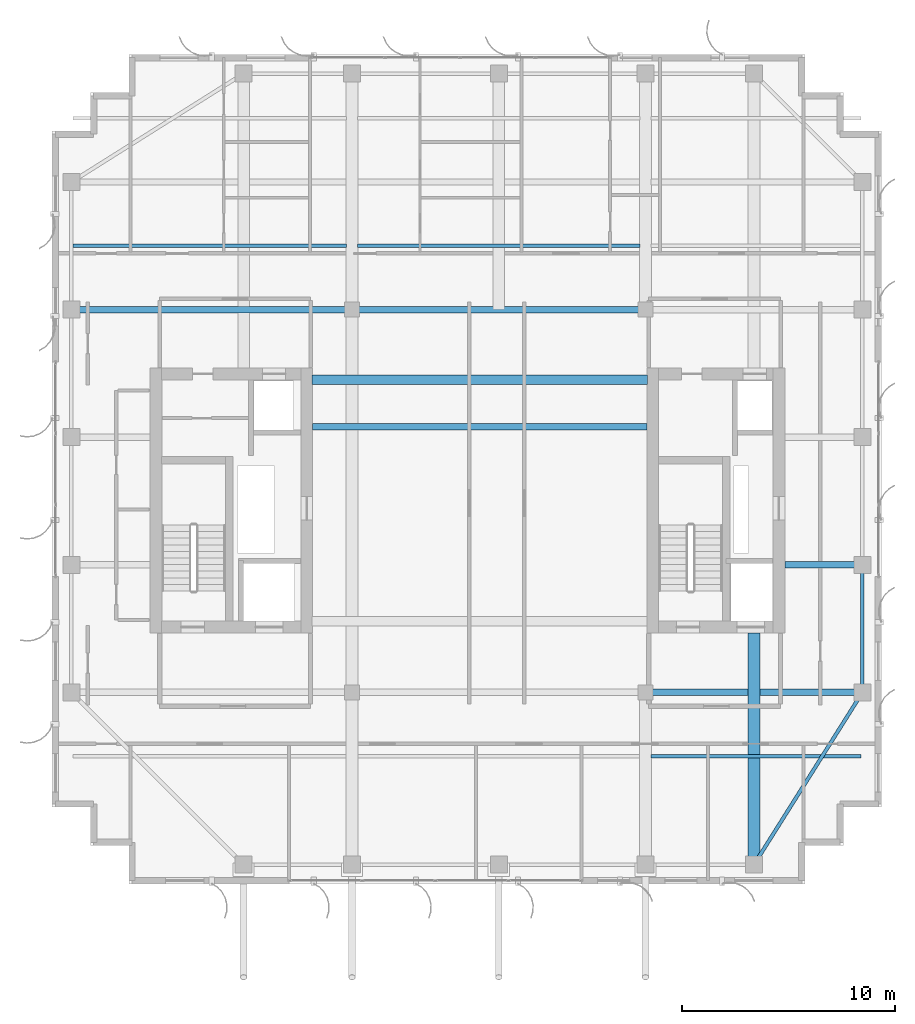
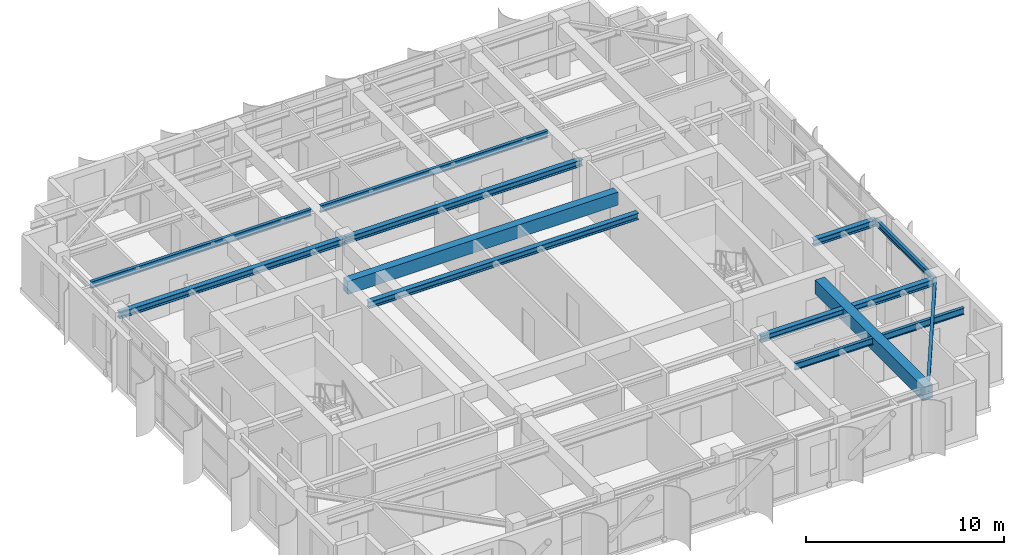
# One storey, part 10 of 22: 12 beams.
"""IFC4 building model written with IfcOpenShell, lengths in metres."""

from ifc_helpers import new_model, si_unit, direction, frame, origin, origin_2d, place, context, subcontext, project, spatial, rectangle, i_section, extrude, source, transform, mapped, material, material_profile, profile_set, type_object, element, save


model = new_model("IFC4")

# Units and contexts
model_context = context("Model", 3, precision=1e-05, world=origin(), true_north=direction((0.0, 1.0)))
body_context = subcontext(model_context, "Body", "Model", "MODEL_VIEW")
ifc_project = project(units=[si_unit("LENGTHUNIT", "METRE"), si_unit("AREAUNIT", "SQUARE_METRE"), si_unit("VOLUMEUNIT", "CUBIC_METRE"), si_unit("PLANEANGLEUNIT", "RADIAN"), si_unit("MASSUNIT", "GRAM", prefix="KILO")], contexts=[model_context])

# Site, building, storey
site_placement = place(None, origin())
site = spatial("IfcSite", under=ifc_project, at=site_placement, CompositionType="ELEMENT")
building_placement = place(site_placement, origin())
building = spatial("IfcBuilding", under=site, at=building_placement, Name="Khoralis Quay Care Tower", CompositionType="ELEMENT")
storey_placement = place(building_placement, frame((0.0, 0.0, 278.10009765625)))
storey = spatial("IfcBuildingStorey", under=building, at=storey_placement, Name="L73", CompositionType="ELEMENT", Elevation=278.10009765625)

# Beams
ifc_material_1 = material(Name="Concrete C50/60", Category="concrete")
ifc_material_profile_1 = material_profile(ifc_material_1, rectangle(XDim=0.449951171875, YDim=0.800048828125, at=origin_2d()), Name="Concrete C50/60")
ifc_profile_set_1 = profile_set([ifc_material_profile_1], Name="Concrete C50/60")
beam_type_1 = type_object("IfcBeamType", Name="CB-RC450X800", PredefinedType="LINTEL", material=ifc_profile_set_1)
shared_shape_1 = source(origin(), body_context, "Body", "SweptSolid", [
    extrude(rectangle(XDim=0.449951171875, YDim=0.800048828125, at=origin_2d()), origin(), (0.0, 0.0, 1.0), 15.780029296875),
])
beam_1_placement = place(storey_placement, frame((15.219970703125, 26.699951171875, 2.919921875), z_axis=(1.0, 0.0, 0.0), x_axis=(0.0, 1.0, 0.0)))
element("IfcBeam", 1, at=beam_1_placement, inside=storey, type_object=beam_type_1, Name="L73 North Core Coupling Lintel", PredefinedType="LINTEL", context=body_context, shape_type="MappedRepresentation", body=[
    mapped(shared_shape_1, transform((0.0, 0.0, 0.0), scale=1.0)),
])
ifc_material_2 = material(Name="Steel S355", Category="steel")
ifc_material_profile_2 = material_profile(ifc_material_2, i_section(OverallWidth=0.169921875, OverallDepth=0.360107421875, WebThickness=0.008056640625, FlangeThickness=0.0126953125, FilletRadius=0.01806640625, at=origin_2d()), Name="Steel S355")
ifc_profile_set_2 = profile_set([ifc_material_profile_2], Name="Steel S355")
beam_type_2 = type_object("IfcBeamType", Name="BM-IPE360", PredefinedType="SPANDREL", material=ifc_profile_set_2)
shared_shape_2 = source(origin(), body_context, "Body", "SweptSolid", [
    extrude(i_section(OverallWidth=0.169921875, OverallDepth=0.360107421875, WebThickness=0.008056640625, FlangeThickness=0.0126953125, FilletRadius=0.01806640625, at=origin_2d()), origin(), (0.0, 0.0, 1.0), 6.0),
])
beam_2_placement = place(storey_placement, frame((41.10009765625, 12.0, 3.139892578125), z_axis=(0.0, 1.0, 0.0), x_axis=(-1.0, 0.0, 0.0)))
element("IfcBeam", 2, at=beam_2_placement, inside=storey, type_object=beam_type_2, Name="BM-TSP-L73-13", PredefinedType="SPANDREL", context=body_context, shape_type="MappedRepresentation", body=[
    mapped(shared_shape_2, transform((0.0, 0.0, 0.0), scale=1.0)),
])
shared_shape_3 = source(origin(), body_context, "Body", "SweptSolid", [
    extrude(i_section(OverallWidth=0.169921875, OverallDepth=0.360107421875, WebThickness=0.008056640625, FlangeThickness=0.0126953125, FilletRadius=0.01806640625, at=origin_2d()), origin(), (0.0, 0.0, 1.0), 9.572021484375),
])
beam_3_placement = place(storey_placement, frame((36.0, 3.89990234375, 3.139892578125), z_axis=(0.532815975602, 0.846231136359, 0.0), x_axis=(-0.846231136359, 0.532815975602, 0.0)))
element("IfcBeam", 3, at=beam_3_placement, inside=storey, type_object=beam_type_2, Name="BM-TCR-L73-18", PredefinedType="SPANDREL", context=body_context, shape_type="MappedRepresentation", body=[
    mapped(shared_shape_3, transform((0.0, 0.0, 0.0), scale=1.0)),
])
ifc_material_profile_3 = material_profile(ifc_material_2, i_section(OverallWidth=0.300048828125, OverallDepth=0.39990234375, WebThickness=0.013427734375, FlangeThickness=0.02392578125, FilletRadius=0.027099609375, at=origin_2d()), Name="Steel S355")
ifc_profile_set_3 = profile_set([ifc_material_profile_3], Name="Steel S355")
beam_type_3 = type_object("IfcBeamType", Name="BM-HEB400", PredefinedType="BEAM", material=ifc_profile_set_3)
shared_shape_4 = source(origin(), body_context, "Body", "SweptSolid", [
    extrude(i_section(OverallWidth=0.300048828125, OverallDepth=0.39990234375, WebThickness=0.013427734375, FlangeThickness=0.02392578125, FilletRadius=0.027099609375, at=origin_2d()), origin(), (0.0, 0.0, 1.0), 13.2001953125),
])
beam_4_placement = place(storey_placement, frame((3.89990234375, 30.0, 3.119873046875), z_axis=(1.0, 0.0, 0.0), x_axis=(0.0, 1.0, 0.0)))
element("IfcBeam", 4, at=beam_4_placement, inside=storey, type_object=beam_type_3, Name="BM-TGXW-L73-300", PredefinedType="BEAM", context=body_context, shape_type="MappedRepresentation", body=[
    mapped(shared_shape_4, transform((0.0, 0.0, 0.0), scale=1.0)),
])
shared_shape_5 = source(origin(), body_context, "Body", "SweptSolid", [
    extrude(i_section(OverallWidth=0.300048828125, OverallDepth=0.39990234375, WebThickness=0.013427734375, FlangeThickness=0.02392578125, FilletRadius=0.027099609375, at=origin_2d()), origin(), (0.0, 0.0, 1.0), 10.2001953125),
])
beam_5_placement = place(storey_placement, frame((30.89990234375, 12.0, 3.119873046875), z_axis=(1.0, 0.0, 0.0), x_axis=(0.0, 1.0, 0.0)))
element("IfcBeam", 5, at=beam_5_placement, inside=storey, type_object=beam_type_3, Name="BM-TGXE-L73-120", PredefinedType="BEAM", context=body_context, shape_type="MappedRepresentation", body=[
    mapped(shared_shape_5, transform((0.0, 0.0, 0.0), scale=1.0)),
])
shared_shape_6 = source(origin(), body_context, "Body", "SweptSolid", [
    extrude(i_section(OverallWidth=0.300048828125, OverallDepth=0.39990234375, WebThickness=0.013427734375, FlangeThickness=0.02392578125, FilletRadius=0.027099609375, at=origin_2d()), origin(), (0.0, 0.0, 1.0), 3.652099609375),
])
beam_6_placement = place(storey_placement, frame((37.447998046875, 18.0, 3.119873046875), z_axis=(1.0, 0.0, 0.0), x_axis=(0.0, 1.0, 0.0)))
element("IfcBeam", 6, at=beam_6_placement, inside=storey, type_object=beam_type_3, Name="BM-TGXE-L73-180", PredefinedType="BEAM", context=body_context, shape_type="MappedRepresentation", body=[
    mapped(shared_shape_6, transform((0.0, 0.0, 0.0), scale=1.0)),
])
ifc_material_profile_4 = material_profile(ifc_material_1, rectangle(XDim=0.550048828125, YDim=0.85009765625, at=origin_2d()), Name="Concrete C50/60")
ifc_profile_set_4 = profile_set([ifc_material_profile_4], Name="Concrete C50/60")
beam_type_4 = type_object("IfcBeamType", Name="BM-RC550X850", PredefinedType="BEAM", material=ifc_profile_set_4)
shared_shape_7 = source(origin(), body_context, "Body", "SweptSolid", [
    extrude(rectangle(XDim=0.550048828125, YDim=0.85009765625, at=origin_2d()), origin(), (0.0, 0.0, 1.0), 10.902099609375),
])
beam_7_placement = place(storey_placement, frame((36.0, 3.89990234375, 2.89501953125), z_axis=(0.0, 1.0, 0.0), x_axis=(-1.0, 0.0, 0.0)))
element("IfcBeam", 7, at=beam_7_placement, inside=storey, type_object=beam_type_4, Name="BM-TGYS-L73-360", PredefinedType="BEAM", context=body_context, shape_type="MappedRepresentation", body=[
    mapped(shared_shape_7, transform((0.0, 0.0, 0.0), scale=1.0)),
])
ifc_material_profile_5 = material_profile(ifc_material_2, i_section(OverallWidth=0.177978515625, OverallDepth=0.406982421875, WebThickness=0.0078125, FlangeThickness=0.0126953125, FilletRadius=0.012939453125, at=origin_2d()), Name="Steel S355")
ifc_profile_set_5 = profile_set([ifc_material_profile_5], Name="Steel S355")
beam_type_5 = type_object("IfcBeamType", Name="BM-W410X60", PredefinedType="JOIST", material=ifc_profile_set_5)
shared_shape_8 = source(origin(), body_context, "Body", "SweptSolid", [
    extrude(i_section(OverallWidth=0.177978515625, OverallDepth=0.406982421875, WebThickness=0.0078125, FlangeThickness=0.0126953125, FilletRadius=0.012939453125, at=origin_2d()), origin(), (0.0, 0.0, 1.0), 12.865966796875),
])
beam_8_placement = place(storey_placement, frame((3.970947265625, 33.0, 3.116455078125), z_axis=(1.0, 0.0, 0.0), x_axis=(0.0, 1.0, 0.0)))
element("IfcBeam", 8, at=beam_8_placement, inside=storey, type_object=beam_type_5, Name="BM-TJS-L73-24", PredefinedType="JOIST", context=body_context, shape_type="MappedRepresentation", body=[
    mapped(shared_shape_8, transform((0.0, 0.0, 0.0), scale=1.0)),
])
shared_shape_9 = source(origin(), body_context, "Body", "SweptSolid", [
    extrude(i_section(OverallWidth=0.177978515625, OverallDepth=0.406982421875, WebThickness=0.0078125, FlangeThickness=0.0126953125, FilletRadius=0.012939453125, at=origin_2d()), origin(), (0.0, 0.0, 1.0), 9.865966796875),
])
beam_9_placement = place(storey_placement, frame((31.1630859375, 9.0, 3.116455078125), z_axis=(1.0, 0.0, 0.0), x_axis=(0.0, 1.0, 0.0)))
element("IfcBeam", 9, at=beam_9_placement, inside=storey, type_object=beam_type_5, Name="BM-TJS-L73-22", PredefinedType="JOIST", context=body_context, shape_type="MappedRepresentation", body=[
    mapped(shared_shape_9, transform((0.0, 0.0, 0.0), scale=1.0)),
])
shared_shape_10 = source(origin(), body_context, "Body", "SweptSolid", [
    extrude(i_section(OverallWidth=0.300048828125, OverallDepth=0.39990234375, WebThickness=0.013427734375, FlangeThickness=0.02392578125, FilletRadius=0.027099609375, at=origin_2d()), origin(), (0.0, 0.0, 1.0), 13.7998046875),
])
beam_10_placement = place(storey_placement, frame((17.10009765625, 30.0, 3.119873046875), z_axis=(1.0, 0.0, 0.0), x_axis=(0.0, 1.0, 0.0)))
element("IfcBeam", 10, at=beam_10_placement, inside=storey, type_object=beam_type_3, Name="BM-TGCC-L73-300", PredefinedType="BEAM", context=body_context, shape_type="MappedRepresentation", body=[
    mapped(shared_shape_10, transform((0.0, 0.0, 0.0), scale=1.0)),
])
shared_shape_11 = source(origin(), body_context, "Body", "SweptSolid", [
    extrude(i_section(OverallWidth=0.300048828125, OverallDepth=0.39990234375, WebThickness=0.013427734375, FlangeThickness=0.02392578125, FilletRadius=0.027099609375, at=origin_2d()), origin(), (0.0, 0.0, 1.0), 15.723876953125),
])
beam_11_placement = place(storey_placement, frame((15.248046875, 24.5, 3.119873046875), z_axis=(1.0, 0.0, 0.0), x_axis=(0.0, 1.0, 0.0)))
element("IfcBeam", 11, at=beam_11_placement, inside=storey, type_object=beam_type_3, Name="BM-TGCC-L73-245", PredefinedType="BEAM", context=body_context, shape_type="MappedRepresentation", body=[
    mapped(shared_shape_11, transform((0.0, 0.0, 0.0), scale=1.0)),
])
shared_shape_12 = source(origin(), body_context, "Body", "SweptSolid", [
    extrude(i_section(OverallWidth=0.177978515625, OverallDepth=0.406982421875, WebThickness=0.0078125, FlangeThickness=0.0126953125, FilletRadius=0.012939453125, at=origin_2d()), origin(), (0.0, 0.0, 1.0), 13.27392578125),
])
beam_12_placement = place(storey_placement, frame((17.363037109375, 33.0, 3.116455078125), z_axis=(1.0, 0.0, 0.0), x_axis=(0.0, 1.0, 0.0)))
element("IfcBeam", 12, at=beam_12_placement, inside=storey, type_object=beam_type_5, Name="BM-TJS-L73-26", PredefinedType="JOIST", context=body_context, shape_type="MappedRepresentation", body=[
    mapped(shared_shape_12, transform((0.0, 0.0, 0.0), scale=1.0)),
])

save(model, "model.ifc")
